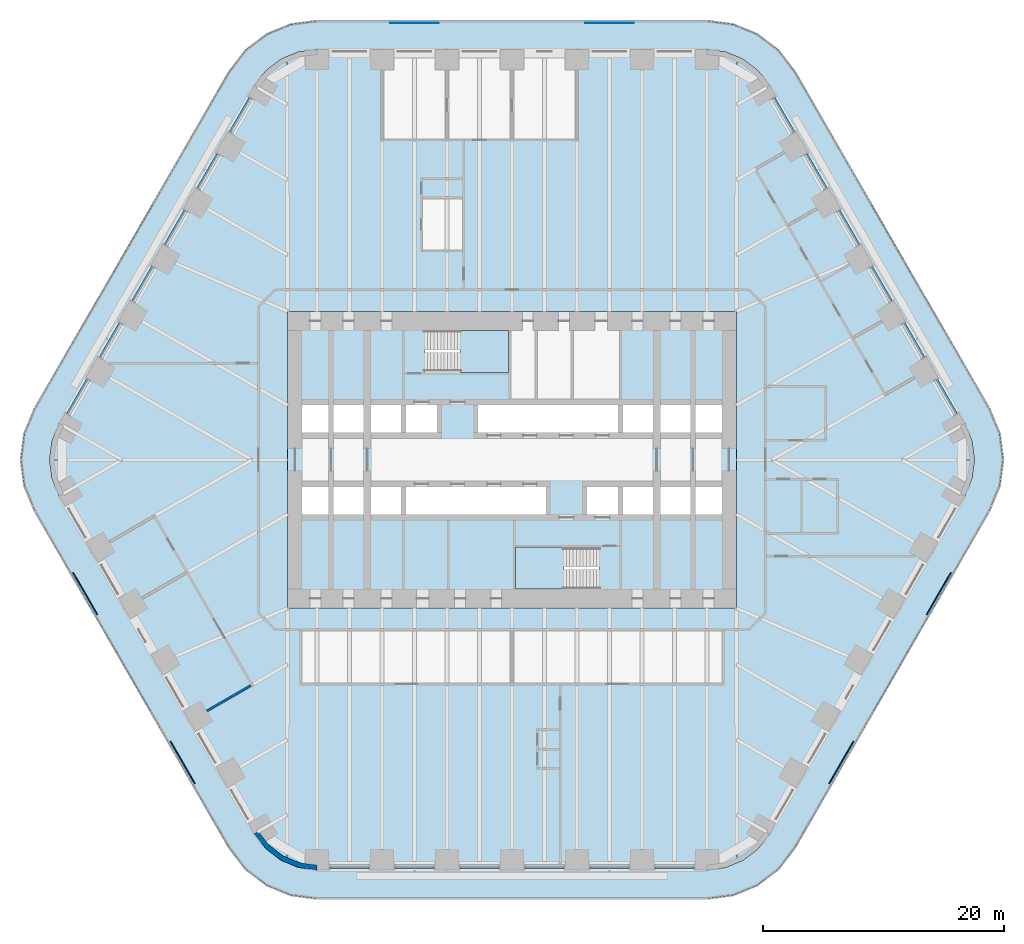
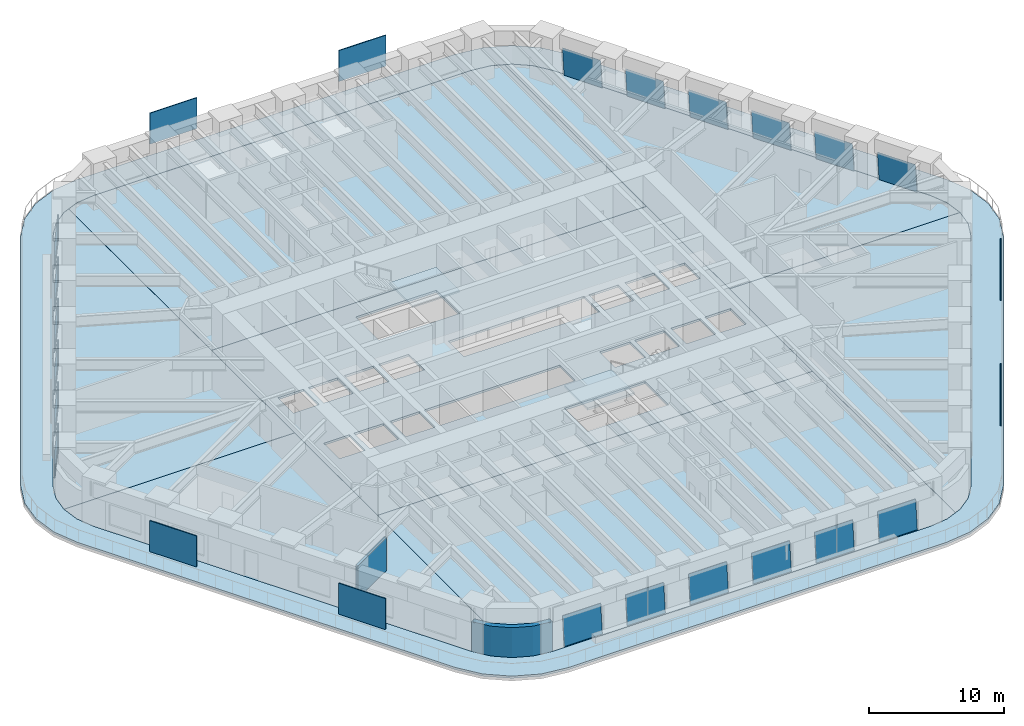
# One storey, part 15 of 24: 24 plates, 10 slabs, 2 walls, 20 elements without a shape of their own.
"""IFC4 building model written with IfcOpenShell, lengths in metres."""

from ifc_helpers import new_model, si_unit, direction, frame, frame_2d, origin, origin_2d, place, context, subcontext, project, spatial, polyline, rectangle, outline, extrude, material, layer, layer_set, type_object, element, aggregate, save


model = new_model("IFC4")

# Units and contexts
model_context = context("Model", 3, precision=1e-05, world=origin(), true_north=direction((0.0, 1.0)))
body_context = subcontext(model_context, "Body", "Model", "MODEL_VIEW")
ifc_project = project(units=[si_unit("LENGTHUNIT", "METRE"), si_unit("AREAUNIT", "SQUARE_METRE"), si_unit("VOLUMEUNIT", "CUBIC_METRE"), si_unit("PLANEANGLEUNIT", "RADIAN"), si_unit("MASSUNIT", "GRAM", prefix="KILO")], contexts=[model_context])

# Site, building, storey
site_placement = place(None, origin())
site = spatial("IfcSite", under=ifc_project, at=site_placement, CompositionType="ELEMENT")
building_placement = place(site_placement, origin())
building = spatial("IfcBuilding", under=site, at=building_placement, Name="Tarfa Lantern Tower", CompositionType="ELEMENT")
storey_placement = place(building_placement, frame((0.0, 0.0, 69.699951171875)))
storey = spatial("IfcBuildingStorey", under=building, at=storey_placement, Name="L15", CompositionType="ELEMENT", Elevation=69.699951171875)

# Slab
ifc_material_1 = material(Name="Concrete C40/50", Category="concrete")
ifc_layer_1 = layer(ifc_material_1, 0.199951171875)
ifc_layer_set_1 = layer_set([ifc_layer_1], Name="BS2 BALCONY SLAB 200")
slab_type_1 = type_object("IfcSlabType", Name="BS2 BALCONY SLAB 200", PredefinedType="FLOOR", material=ifc_layer_set_1)
slab_1_placement = place(storey_placement, frame((0.0, 0.0, -0.199951171875)))
element("IfcSlab", 1, at=slab_1_placement, inside=storey, type_object=slab_type_1, Name="Balcony L15", PredefinedType="FLOOR", context=body_context, shape_type="SweptSolid", body=[
    extrude(outline(polyline([(39.606201171875, 4.199951171875), (23.4404296875, 32.199951171875), (22.10546875, 33.939697265625), (20.36572265625, 35.274658203125), (18.33984375, 36.11376953125), (16.165771484375, 36.39990234375), (-16.165771484375, 36.39990234375), (-18.33984375, 36.11376953125), (-20.36572265625, 35.274658203125), (-22.10546875, 33.939697265625), (-23.4404296875, 32.199951171875), (-39.606201171875, 4.199951171875), (-40.4453125, 2.174072265625), (-40.731689453125, 0.0), (-40.4453125, -2.174072265625), (-39.606201171875, -4.199951171875), (-23.4404296875, -32.199951171875), (-22.10546875, -33.939697265625), (-20.36572265625, -35.274658203125), (-18.33984375, -36.11376953125), (-16.165771484375, -36.39990234375), (16.165771484375, -36.39990234375), (18.33984375, -36.11376953125), (20.36572265625, -35.274658203125), (22.10546875, -33.939697265625), (23.4404296875, -32.199951171875), (39.606201171875, -4.199951171875), (40.4453125, -2.174072265625), (40.731689453125, 0.0), (40.4453125, 2.174072265625), (39.606201171875, 4.199951171875)]), holes=[polyline([(37.52783203125, 3.0), (21.362060546875, 31.0), (20.408447265625, 32.24267578125), (19.165771484375, 33.196044921875), (17.71875, 33.795654296875), (16.165771484375, 34.0), (-16.165771484375, 34.0), (-17.71875, 33.795654296875), (-19.165771484375, 33.196044921875), (-20.408447265625, 32.24267578125), (-21.362060546875, 31.0), (-37.52783203125, 3.0), (-38.127197265625, 1.552978515625), (-38.33154296875, 0.0), (-38.127197265625, -1.552978515625), (-37.52783203125, -3.0), (-21.362060546875, -31.0), (-20.408447265625, -32.24267578125), (-19.165771484375, -33.196044921875), (-17.71875, -33.795654296875), (-16.165771484375, -34.0), (16.165771484375, -34.0), (17.71875, -33.795654296875), (19.165771484375, -33.196044921875), (20.408447265625, -32.24267578125), (21.362060546875, -31.0), (37.52783203125, -3.0), (38.127197265625, -1.552978515625), (38.33154296875, 0.0), (38.127197265625, 1.552978515625), (37.52783203125, 3.0)])]), origin(), (0.0, 0.0, 1.0), 0.199951171875),
])

# Curtain wall, plate
ifc_material_2 = material(Name="Aluminium framed curtain wall", Category="aluminium")
curtain_wall_type = type_object("IfcCurtainWallType", Name="CW1 CANTED GLAZING LOW ZONE 2700", PredefinedType="USERDEFINED", material=ifc_material_2)
curtain_wall_1_placement = place(storey_placement, origin())
curtain_wall_1 = element("IfcCurtainWall", 2, at=curtain_wall_1_placement, inside=storey, type_object=curtain_wall_type, Name="CW1 NE L15", ObjectType="CURTAIN WALL", PredefinedType="USERDEFINED")
ifc_material_3 = material(Name="Laminated double glazing", Category="glass")
ifc_layer_2 = layer(ifc_material_3, 0.028076171875)
ifc_layer_set_2 = layer_set([ifc_layer_2], Name="CWP1 DOUBLE GLAZED PANEL")
plate_type_1 = type_object("IfcPlateType", Name="CWP1 DOUBLE GLAZED PANEL", PredefinedType="CURTAIN_PANEL", material=ifc_layer_set_2)
plate_1_placement = place(storey_placement, frame((36.90869140625, 3.872314453125, 0.0), z_axis=(0.862338266797, 0.497864384763, 0.09221587717), x_axis=(-0.499995082658, 0.86602824279, 2.978908e-06)))
plate_1 = element("IfcPlate", 3, at=plate_1_placement, type_object=plate_type_1, Name="CW1 panel 1.1", PredefinedType="CURTAIN_PANEL", context=body_context, shape_type="SweptSolid", body=[
    extrude(outline(polyline([(0.0, 0.0), (3.258639560562134, 0.0), (3.2585208536427297, 2.646275738901332), (3.3621925729925773e-06, 2.646295235988971), (0.0, 0.0)])), origin(), (0.0, 0.0, -1.0), 0.028076171875),
])
aggregate(curtain_wall_1, [plate_1])

curtain_wall_2_placement = place(storey_placement, origin())
curtain_wall_2 = element("IfcCurtainWall", 4, at=curtain_wall_2_placement, inside=storey, type_object=curtain_wall_type, Name="CW1 NE L15", ObjectType="CURTAIN WALL", PredefinedType="USERDEFINED")
plate_2_placement = place(storey_placement, frame((34.21435546875, 8.5390625, 0.0), z_axis=(0.862325290636, 0.497894194109, 0.092176269198), x_axis=(-0.500022939057, 0.866012159509, 0.0)))
plate_2 = element("IfcPlate", 5, at=plate_2_placement, type_object=plate_type_1, Name="CW1 panel 1.1", PredefinedType="CURTAIN_PANEL", context=body_context, shape_type="SweptSolid", body=[
    extrude(outline(polyline([(0.0, 0.0), (3.2586395622623687, 0.0), (3.2585208519425555, 2.6462757409948594), (-0.0001187103198132533, 2.6462757409948594), (0.0, 0.0)])), origin(), (0.0, 0.0, -1.0), 0.028076171875),
])
aggregate(curtain_wall_2, [plate_2])

curtain_wall_3_placement = place(storey_placement, origin())
curtain_wall_3 = element("IfcCurtainWall", 6, at=curtain_wall_3_placement, inside=storey, type_object=curtain_wall_type, Name="CW1 NE L15", ObjectType="CURTAIN WALL", PredefinedType="USERDEFINED")
plate_3_placement = place(storey_placement, frame((31.52001953125, 13.20556640625, 0.0), z_axis=(0.862341934097, 0.49786650205, 0.092170140692), x_axis=(-0.499994605049, 0.866028518533, -2.977555e-06)))
plate_3 = element("IfcPlate", 7, at=plate_3_placement, type_object=plate_type_1, Name="CW1 panel 1.1", PredefinedType="CURTAIN_PANEL", context=body_context, shape_type="SweptSolid", body=[
    extrude(outline(polyline([(0.0, 0.0), (3.258517491508472, 2.7755575615628914e-17), (3.2587164564684317, 2.646283977845527), (7.689596458644864e-05, 2.6462644896978658), (0.0, 0.0)])), origin(), (0.0, 0.0, -1.0), 0.028076171875),
])
aggregate(curtain_wall_3, [plate_3])

curtain_wall_4_placement = place(storey_placement, origin())
curtain_wall_4 = element("IfcCurtainWall", 8, at=curtain_wall_4_placement, inside=storey, type_object=curtain_wall_type, Name="CW1 NE L15", ObjectType="CURTAIN WALL", PredefinedType="USERDEFINED")
plate_4_placement = place(storey_placement, frame((28.82568359375, 17.872314453125, 0.0), z_axis=(0.862338266797, 0.497864384763, 0.09221587717), x_axis=(-0.499994604812, 0.86602851867, -2.97902e-06)))
plate_4 = element("IfcPlate", 9, at=plate_4_placement, type_object=plate_type_1, Name="CW1 panel 1.1", PredefinedType="CURTAIN_PANEL", context=body_context, shape_type="SweptSolid", body=[
    extrude(outline(polyline([(0.0, 0.0), (3.2585174915084862, -2.7755575615628914e-17), (3.2585050197979823, 2.646295235961718), (-0.000134540705819584, 2.646275738143688), (0.0, 0.0)])), origin(), (0.0, 0.0, -1.0), 0.028076171875),
])
aggregate(curtain_wall_4, [plate_4])

curtain_wall_5_placement = place(storey_placement, origin())
curtain_wall_5 = element("IfcCurtainWall", 10, at=curtain_wall_5_placement, inside=storey, type_object=curtain_wall_type, Name="CW1 NE L15", ObjectType="CURTAIN WALL", PredefinedType="USERDEFINED")
plate_5_placement = place(storey_placement, frame((26.13134765625, 22.5390625, 0.0), z_axis=(0.862338266797, 0.497864384763, 0.09221587717), x_axis=(-0.499994604812, 0.86602851867, -2.97902e-06)))
plate_5 = element("IfcPlate", 11, at=plate_5_placement, type_object=plate_type_1, Name="CW1 panel 1.1", PredefinedType="CURTAIN_PANEL", context=body_context, shape_type="SweptSolid", body=[
    extrude(outline(polyline([(0.0, 0.0), (3.2585174915084862, -2.7755575615628914e-17), (3.2585050197979823, 2.646295235961718), (-0.000134540705819584, 2.646275738143688), (0.0, 0.0)])), origin(), (0.0, 0.0, -1.0), 0.028076171875),
])
aggregate(curtain_wall_5, [plate_5])

curtain_wall_6_placement = place(storey_placement, origin())
curtain_wall_6 = element("IfcCurtainWall", 12, at=curtain_wall_6_placement, inside=storey, type_object=curtain_wall_type, Name="CW1 NE L15", ObjectType="CURTAIN WALL", PredefinedType="USERDEFINED")
plate_6_placement = place(storey_placement, frame((23.437255859375, 27.20556640625, 0.0), z_axis=(0.862341934097, 0.49786650205, 0.092170140692), x_axis=(-0.499995082421, 0.866028242926, 2.977443e-06)))
plate_6 = element("IfcPlate", 13, at=plate_6_placement, type_object=plate_type_1, Name="CW1 panel 1.1", PredefinedType="CURTAIN_PANEL", context=body_context, shape_type="SweptSolid", body=[
    extrude(outline(polyline([(0.0, 0.0), (3.2586395605621195, -2.7755575615628914e-17), (3.2587322823927347, 2.64626448919067), (0.0002147909425344405, 2.6462839766083026), (0.0, 0.0)])), origin(), (0.0, 0.0, -1.0), 0.028076171875),
])
aggregate(curtain_wall_6, [plate_6])

curtain_wall_7_placement = place(storey_placement, origin())
curtain_wall_7 = element("IfcCurtainWall", 14, at=curtain_wall_7_placement, inside=storey, type_object=curtain_wall_type, Name="CW1 NW L15", ObjectType="CURTAIN WALL", PredefinedType="USERDEFINED")
plate_7_placement = place(storey_placement, frame((-21.807861328125, 30.027587890625, 0.0), z_axis=(-0.862341934097, 0.49786650205, 0.092170140692), x_axis=(-0.499995082421, -0.866028242926, -2.977443e-06)))
plate_7 = element("IfcPlate", 15, at=plate_7_placement, type_object=plate_type_1, Name="CW1 panel 1.1", PredefinedType="CURTAIN_PANEL", context=body_context, shape_type="SweptSolid", body=[
    extrude(outline(polyline([(0.0, 0.0), (3.2586395605621195, 2.7755575615628914e-17), (3.2584247696195847, 2.6462839766083026), (-9.272183061532521e-05, 2.64626448919067), (0.0, 0.0)])), origin(), (0.0, 0.0, -1.0), 0.028076171875),
])
aggregate(curtain_wall_7, [plate_7])

curtain_wall_8_placement = place(storey_placement, origin())
curtain_wall_8 = element("IfcCurtainWall", 16, at=curtain_wall_8_placement, inside=storey, type_object=curtain_wall_type, Name="CW1 NW L15", ObjectType="CURTAIN WALL", PredefinedType="USERDEFINED")
plate_8_placement = place(storey_placement, frame((-24.502197265625, 25.361083984375, 0.0), z_axis=(-0.862338266797, 0.497864384763, 0.09221587717), x_axis=(-0.499994604812, -0.86602851867, 2.97902e-06)))
plate_8 = element("IfcPlate", 17, at=plate_8_placement, type_object=plate_type_1, Name="CW1 panel 1.1", PredefinedType="CURTAIN_PANEL", context=body_context, shape_type="SweptSolid", body=[
    extrude(outline(polyline([(0.0, 0.0), (3.2585174915084862, 2.7755575615628914e-17), (3.2586520322143055, 2.646275738143688), (1.2471710504126e-05, 2.646295235961718), (0.0, 0.0)])), origin(), (0.0, 0.0, -1.0), 0.028076171875),
])
aggregate(curtain_wall_8, [plate_8])

curtain_wall_9_placement = place(storey_placement, origin())
curtain_wall_9 = element("IfcCurtainWall", 18, at=curtain_wall_9_placement, inside=storey, type_object=curtain_wall_type, Name="CW1 NW L15", ObjectType="CURTAIN WALL", PredefinedType="USERDEFINED")
plate_9_placement = place(storey_placement, frame((-27.196533203125, 20.6943359375, 0.0), z_axis=(-0.862338266797, 0.497864384763, 0.09221587717), x_axis=(-0.499994604812, -0.86602851867, 2.97902e-06)))
plate_9 = element("IfcPlate", 19, at=plate_9_placement, type_object=plate_type_1, Name="CW1 panel 1.1", PredefinedType="CURTAIN_PANEL", context=body_context, shape_type="SweptSolid", body=[
    extrude(outline(polyline([(0.0, 0.0), (3.2585174915084862, 2.7755575615628914e-17), (3.2586520322143055, 2.646275738143688), (1.2471710504126e-05, 2.646295235961718), (0.0, 0.0)])), origin(), (0.0, 0.0, -1.0), 0.028076171875),
])
aggregate(curtain_wall_9, [plate_9])

curtain_wall_10_placement = place(storey_placement, origin())
curtain_wall_10 = element("IfcCurtainWall", 20, at=curtain_wall_10_placement, inside=storey, type_object=curtain_wall_type, Name="CW1 NW L15", ObjectType="CURTAIN WALL", PredefinedType="USERDEFINED")
plate_10_placement = place(storey_placement, frame((-29.890869140625, 16.027587890625, 0.0), z_axis=(-0.862341934097, 0.49786650205, 0.092170140692), x_axis=(-0.499994605049, -0.866028518533, 2.977555e-06)))
plate_10 = element("IfcPlate", 21, at=plate_10_placement, type_object=plate_type_1, Name="CW1 panel 1.1", PredefinedType="CURTAIN_PANEL", context=body_context, shape_type="SweptSolid", body=[
    extrude(outline(polyline([(0.0, 0.0), (3.258517491508472, -2.7755575615628914e-17), (3.258440595543886, 2.6462644896978658), (-0.00019896495995976314, 2.646283977845527), (0.0, 0.0)])), origin(), (0.0, 0.0, -1.0), 0.028076171875),
])
aggregate(curtain_wall_10, [plate_10])

curtain_wall_11_placement = place(storey_placement, origin())
curtain_wall_11 = element("IfcCurtainWall", 22, at=curtain_wall_11_placement, inside=storey, type_object=curtain_wall_type, Name="CW1 NW L15", ObjectType="CURTAIN WALL", PredefinedType="USERDEFINED")
plate_11_placement = place(storey_placement, frame((-32.5849609375, 11.361083984375, 0.0), z_axis=(-0.862325290636, 0.497894194109, 0.092176269198), x_axis=(-0.500022939057, -0.866012159509, 0.0)))
plate_11 = element("IfcPlate", 23, at=plate_11_placement, type_object=plate_type_1, Name="CW1 panel 1.1", PredefinedType="CURTAIN_PANEL", context=body_context, shape_type="SweptSolid", body=[
    extrude(outline(polyline([(0.0, 0.0), (3.2586395622623687, 0.0), (3.258758272582182, 2.6462757409948594), (0.0001187103198132533, 2.6462757409948594), (0.0, 0.0)])), origin(), (0.0, 0.0, -1.0), 0.028076171875),
])
aggregate(curtain_wall_11, [plate_11])

curtain_wall_12_placement = place(storey_placement, origin())
curtain_wall_12 = element("IfcCurtainWall", 24, at=curtain_wall_12_placement, inside=storey, type_object=curtain_wall_type, Name="CW1 NW L15", ObjectType="CURTAIN WALL", PredefinedType="USERDEFINED")
plate_12_placement = place(storey_placement, frame((-35.279296875, 6.6943359375, 0.0), z_axis=(-0.862338266797, 0.497864384763, 0.09221587717), x_axis=(-0.499995082658, -0.86602824279, -2.978908e-06)))
plate_12 = element("IfcPlate", 25, at=plate_12_placement, type_object=plate_type_1, Name="CW1 panel 1.1", PredefinedType="CURTAIN_PANEL", context=body_context, shape_type="SweptSolid", body=[
    extrude(outline(polyline([(0.0, 0.0), (3.258639560562134, 0.0), (3.258636198369561, 2.646295235988971), (0.00011870691940396534, 2.646275738901332), (0.0, 0.0)])), origin(), (0.0, 0.0, -1.0), 0.028076171875),
])
aggregate(curtain_wall_12, [plate_12])

curtain_wall_13_placement = place(storey_placement, origin())
curtain_wall_13 = element("IfcCurtainWall", 26, at=curtain_wall_13_placement, inside=storey, type_object=curtain_wall_type, Name="CW1 S L15", ObjectType="CURTAIN WALL", PredefinedType="USERDEFINED")
plate_13_placement = place(storey_placement, frame((-15.100830078125, -33.89990234375, 0.0), z_axis=(0.0, -0.995743653657, 0.092166025202), x_axis=(1.0, 0.0, 0.0)))
plate_13 = element("IfcPlate", 27, at=plate_13_placement, type_object=plate_type_1, Name="CW1 panel 1.1", PredefinedType="CURTAIN_PANEL", context=body_context, shape_type="SweptSolid", body=[
    extrude(outline(polyline([(0.0, 0.0), (3.258544921875, 0.0), (3.258544921875, 2.6462732209712594), (0.0, 2.6462732209712594), (0.0, 0.0)])), origin(), (0.0, 0.0, -1.0), 0.028076171875),
])
aggregate(curtain_wall_13, [plate_13])

curtain_wall_14_placement = place(storey_placement, origin())
curtain_wall_14 = element("IfcCurtainWall", 28, at=curtain_wall_14_placement, inside=storey, type_object=curtain_wall_type, Name="CW1 S L15", ObjectType="CURTAIN WALL", PredefinedType="USERDEFINED")
plate_14_placement = place(storey_placement, frame((-9.712158203125, -33.89990234375, 0.0), z_axis=(0.0, -0.995743653657, 0.092166025202), x_axis=(1.0, 0.0, 0.0)))
plate_14 = element("IfcPlate", 29, at=plate_14_placement, type_object=plate_type_1, Name="CW1 panel 1.1", PredefinedType="CURTAIN_PANEL", context=body_context, shape_type="SweptSolid", body=[
    extrude(outline(polyline([(0.0, 0.0), (3.258544921875, 0.0), (3.258544921875, 2.6462732209712594), (0.0, 2.6462732209712594), (0.0, 0.0)])), origin(), (0.0, 0.0, -1.0), 0.028076171875),
])
aggregate(curtain_wall_14, [plate_14])

curtain_wall_15_placement = place(storey_placement, origin())
curtain_wall_15 = element("IfcCurtainWall", 30, at=curtain_wall_15_placement, inside=storey, type_object=curtain_wall_type, Name="CW1 S L15", ObjectType="CURTAIN WALL", PredefinedType="USERDEFINED")
plate_15_placement = place(storey_placement, frame((-4.323486328125, -33.89990234375, 0.0), z_axis=(0.0, -0.995743653657, 0.092166025202), x_axis=(1.0, 0.0, 0.0)))
plate_15 = element("IfcPlate", 31, at=plate_15_placement, type_object=plate_type_1, Name="CW1 panel 1.1", PredefinedType="CURTAIN_PANEL", context=body_context, shape_type="SweptSolid", body=[
    extrude(outline(polyline([(0.0, 0.0), (3.258544921875, 0.0), (3.258544921875, 2.6462732209712594), (0.0, 2.6462732209712594), (0.0, 0.0)])), origin(), (0.0, 0.0, -1.0), 0.028076171875),
])
aggregate(curtain_wall_15, [plate_15])

curtain_wall_16_placement = place(storey_placement, origin())
curtain_wall_16 = element("IfcCurtainWall", 32, at=curtain_wall_16_placement, inside=storey, type_object=curtain_wall_type, Name="CW1 S L15", ObjectType="CURTAIN WALL", PredefinedType="USERDEFINED")
plate_16_placement = place(storey_placement, frame((1.06494140625, -33.89990234375, 0.0), z_axis=(0.0, -0.995743653657, 0.092166025202), x_axis=(1.0, 0.0, 0.0)))
plate_16 = element("IfcPlate", 33, at=plate_16_placement, type_object=plate_type_1, Name="CW1 panel 1.1", PredefinedType="CURTAIN_PANEL", context=body_context, shape_type="SweptSolid", body=[
    extrude(outline(polyline([(0.0, 0.0), (3.258544921875, 0.0), (3.258544921875, 2.6462732209712594), (0.0, 2.6462732209712594), (0.0, 0.0)])), origin(), (0.0, 0.0, -1.0), 0.028076171875),
])
aggregate(curtain_wall_16, [plate_16])

curtain_wall_17_placement = place(storey_placement, origin())
curtain_wall_17 = element("IfcCurtainWall", 34, at=curtain_wall_17_placement, inside=storey, type_object=curtain_wall_type, Name="CW1 S L15", ObjectType="CURTAIN WALL", PredefinedType="USERDEFINED")
plate_17_placement = place(storey_placement, frame((6.45361328125, -33.89990234375, 0.0), z_axis=(0.0, -0.995743653657, 0.092166025202), x_axis=(1.0, 0.0, 0.0)))
plate_17 = element("IfcPlate", 35, at=plate_17_placement, type_object=plate_type_1, Name="CW1 panel 1.1", PredefinedType="CURTAIN_PANEL", context=body_context, shape_type="SweptSolid", body=[
    extrude(outline(polyline([(0.0, 0.0), (3.258544921875, 0.0), (3.258544921875, 2.6462732209712594), (0.0, 2.6462732209712594), (0.0, 0.0)])), origin(), (0.0, 0.0, -1.0), 0.028076171875),
])
aggregate(curtain_wall_17, [plate_17])

curtain_wall_18_placement = place(storey_placement, origin())
curtain_wall_18 = element("IfcCurtainWall", 36, at=curtain_wall_18_placement, inside=storey, type_object=curtain_wall_type, Name="CW1 S L15", ObjectType="CURTAIN WALL", PredefinedType="USERDEFINED")
plate_18_placement = place(storey_placement, frame((11.84228515625, -33.89990234375, 0.0), z_axis=(0.0, -0.995743653657, 0.092166025202), x_axis=(1.0, 0.0, 0.0)))
plate_18 = element("IfcPlate", 37, at=plate_18_placement, type_object=plate_type_1, Name="CW1 panel 1.1", PredefinedType="CURTAIN_PANEL", context=body_context, shape_type="SweptSolid", body=[
    extrude(outline(polyline([(0.0, 0.0), (3.258544921875, 0.0), (3.258544921875, 2.6462732209712594), (0.0, 2.6462732209712594), (0.0, 0.0)])), origin(), (0.0, 0.0, -1.0), 0.028076171875),
])
aggregate(curtain_wall_18, [plate_18])

# Slabs
ifc_layer_3 = layer(ifc_material_1, 0.199951171875)
ifc_layer_set_3 = layer_set([ifc_layer_3], Name="FS1 FLOOR SLAB 200")
slab_type_2 = type_object("IfcSlabType", Name="FS1 FLOOR SLAB 200", PredefinedType="FLOOR", material=ifc_layer_set_3)
slab_2_placement = place(storey_placement, frame((0.0, 0.0, -0.199951171875)))
element("IfcSlab", 38, at=slab_2_placement, inside=storey, type_object=slab_type_2, Name="Floor slab L15", PredefinedType="FLOOR", context=body_context, shape_type="SweptSolid", body=[
    extrude(outline(polyline([(-18.60009765625, -12.300048828125), (18.60009765625, -12.300048828125), (18.60009765625, 12.300048828125), (-18.60009765625, 12.300048828125), (-18.60009765625, -12.300048828125)]), holes=[polyline([(-17.39990234375, 2.25), (-15.199951171875, 2.25), (-15.199951171875, 4.550048828125), (-17.39990234375, 4.550048828125), (-17.39990234375, 2.25)]), polyline([(-14.800048828125, 2.25), (-12.300048828125, 2.25), (-12.300048828125, 4.550048828125), (-14.800048828125, 4.550048828125), (-14.800048828125, 2.25)]), polyline([(-11.699951171875, 2.25), (-9.199951171875, 2.25), (-9.199951171875, 4.550048828125), (-11.699951171875, 4.550048828125), (-11.699951171875, 2.25)]), polyline([(-8.800048828125, 2.25), (-6.199951171875, 2.25), (-6.199951171875, 4.550048828125), (-8.800048828125, 4.550048828125), (-8.800048828125, 2.25)]), polyline([(-2.800048828125, 2.25), (8.800048828125, 2.25), (8.800048828125, 4.550048828125), (-2.800048828125, 4.550048828125), (-2.800048828125, 2.25)]), polyline([(9.199951171875, 2.25), (11.699951171875, 2.25), (11.699951171875, 4.550048828125), (9.199951171875, 4.550048828125), (9.199951171875, 2.25)]), polyline([(12.300048828125, 2.25), (14.800048828125, 2.25), (14.800048828125, 4.550048828125), (12.300048828125, 4.550048828125), (12.300048828125, 2.25)]), polyline([(15.199951171875, 2.25), (17.39990234375, 2.25), (17.39990234375, 4.550048828125), (15.199951171875, 4.550048828125), (15.199951171875, 2.25)]), polyline([(17.39990234375, -2.25), (15.199951171875, -2.25), (15.199951171875, -4.550048828125), (17.39990234375, -4.550048828125), (17.39990234375, -2.25)]), polyline([(14.800048828125, -2.25), (12.300048828125, -2.25), (12.300048828125, -4.550048828125), (14.800048828125, -4.550048828125), (14.800048828125, -2.25)]), polyline([(11.699951171875, -2.25), (9.199951171875, -2.25), (9.199951171875, -4.550048828125), (11.699951171875, -4.550048828125), (11.699951171875, -2.25)]), polyline([(8.800048828125, -2.25), (6.199951171875, -2.25), (6.199951171875, -4.550048828125), (8.800048828125, -4.550048828125), (8.800048828125, -2.25)]), polyline([(2.800048828125, -2.25), (-8.800048828125, -2.25), (-8.800048828125, -4.550048828125), (2.800048828125, -4.550048828125), (2.800048828125, -2.25)]), polyline([(-9.199951171875, -2.25), (-11.699951171875, -2.25), (-11.699951171875, -4.550048828125), (-9.199951171875, -4.550048828125), (-9.199951171875, -2.25)]), polyline([(-12.300048828125, -2.25), (-14.800048828125, -2.25), (-14.800048828125, -4.550048828125), (-12.300048828125, -4.550048828125), (-12.300048828125, -2.25)]), polyline([(-15.199951171875, -2.25), (-17.39990234375, -2.25), (-17.39990234375, -4.550048828125), (-15.199951171875, -4.550048828125), (-15.199951171875, -2.25)]), polyline([(-7.199951171875, 7.25), (-0.300048828125, 7.25), (-0.300048828125, 10.699951171875), (-7.199951171875, 10.699951171875), (-7.199951171875, 7.25)]), polyline([(7.199951171875, -7.25), (0.300048828125, -7.25), (0.300048828125, -10.699951171875), (7.199951171875, -10.699951171875), (7.199951171875, -7.25)])]), origin(), (0.0, 0.0, 1.0), 0.199951171875),
])
slab_3_placement = place(storey_placement, frame((0.0, 0.0, -0.199951171875)))
element("IfcSlab", 39, at=slab_3_placement, inside=storey, type_object=slab_type_2, Name="Floor slab L15 NE bay", PredefinedType="FLOOR", context=body_context, shape_type="SweptSolid", body=[
    extrude(outline(polyline([(37.52587890625, 2.9990234375), (21.3603515625, 30.998779296875), (20.406982421875, 32.2412109375), (19.164794921875, 33.1943359375), (18.64697265625, 33.408935546875), (18.60205078125, 12.300048828125), (18.60205078125, 0.001953125), (38.329345703125, 0.001953125), (38.125244140625, 1.552490234375), (37.52587890625, 2.9990234375)])), origin(), (0.0, 0.0, 1.0), 0.199951171875),
])
slab_4_placement = place(storey_placement, frame((0.0, 0.0, -0.199951171875)))
element("IfcSlab", 40, at=slab_4_placement, inside=storey, type_object=slab_type_2, Name="Floor slab L15 N bay", PredefinedType="FLOOR", context=body_context, shape_type="SweptSolid", body=[
    extrude(outline(polyline([(-18.597900390625, 12.302001953125), (18.597900390625, 12.302001953125), (18.64306640625, 33.41064453125), (17.71826171875, 33.793701171875), (16.165771484375, 33.998046875), (-16.165771484375, 33.998046875), (-17.71826171875, 33.793701171875), (-18.64306640625, 33.41064453125), (-18.597900390625, 12.302001953125)])), origin(), (0.0, 0.0, 1.0), 0.199951171875),
])
slab_5_placement = place(storey_placement, frame((0.0, 0.0, -0.199951171875)))
element("IfcSlab", 41, at=slab_5_placement, inside=storey, type_object=slab_type_2, Name="Floor slab L15 NW bay", PredefinedType="FLOOR", context=body_context, shape_type="SweptSolid", body=[
    extrude(outline(polyline([(-18.60205078125, 0.001953125), (-18.60205078125, 12.300048828125), (-18.64697265625, 33.408935546875), (-19.164794921875, 33.1943359375), (-20.406982421875, 32.2412109375), (-21.3603515625, 30.998779296875), (-37.52587890625, 2.9990234375), (-38.125244140625, 1.552490234375), (-38.329345703125, 0.001953125), (-18.60205078125, 0.001953125)])), origin(), (0.0, 0.0, 1.0), 0.199951171875),
])
slab_6_placement = place(storey_placement, frame((0.0, 0.0, -0.199951171875)))
element("IfcSlab", 42, at=slab_6_placement, inside=storey, type_object=slab_type_2, Name="Floor slab L15 SW bay", PredefinedType="FLOOR", context=body_context, shape_type="SweptSolid", body=[
    extrude(outline(polyline([(-18.60205078125, -12.300048828125), (-18.60205078125, -0.001953125), (-38.329345703125, -0.001953125), (-38.125244140625, -1.552490234375), (-37.52587890625, -2.9990234375), (-21.3603515625, -30.998779296875), (-20.406982421875, -32.2412109375), (-19.164794921875, -33.1943359375), (-18.64697265625, -33.408935546875), (-18.60205078125, -12.300048828125)])), origin(), (0.0, 0.0, 1.0), 0.199951171875),
])
slab_7_placement = place(storey_placement, frame((0.0, 0.0, -0.199951171875)))
element("IfcSlab", 43, at=slab_7_placement, inside=storey, type_object=slab_type_2, Name="Floor slab L15 S bay", PredefinedType="FLOOR", context=body_context, shape_type="SweptSolid", body=[
    extrude(outline(polyline([(18.597900390625, -12.302001953125), (-18.597900390625, -12.302001953125), (-18.64306640625, -33.41064453125), (-17.71826171875, -33.793701171875), (-16.165771484375, -33.998046875), (16.165771484375, -33.998046875), (17.71826171875, -33.793701171875), (18.64306640625, -33.41064453125), (18.597900390625, -12.302001953125)])), origin(), (0.0, 0.0, 1.0), 0.199951171875),
])
slab_8_placement = place(storey_placement, frame((0.0, 0.0, -0.199951171875)))
element("IfcSlab", 44, at=slab_8_placement, inside=storey, type_object=slab_type_2, Name="Floor slab L15 SE bay", PredefinedType="FLOOR", context=body_context, shape_type="SweptSolid", body=[
    extrude(outline(polyline([(18.60205078125, -0.001953125), (18.60205078125, -12.300048828125), (18.64697265625, -33.408935546875), (19.164794921875, -33.1943359375), (20.406982421875, -32.2412109375), (21.3603515625, -30.998779296875), (37.52587890625, -2.9990234375), (38.125244140625, -1.552490234375), (38.329345703125, -0.001953125), (18.60205078125, -0.001953125)])), origin(), (0.0, 0.0, 1.0), 0.199951171875),
])

# Plates
ifc_material_4 = material(Name="Perforated limestone screen", Category="masonry")
ifc_layer_4 = layer(ifc_material_4, 0.080078125)
ifc_layer_set_4 = layer_set([ifc_layer_4], Name="SC1 STONE SCREEN 80")
plate_type_2 = type_object("IfcPlateType", Name="SC1 STONE SCREEN 80", PredefinedType="USERDEFINED", material=ifc_layer_set_4)
for number, where, z_axis, x_axis, name in (
    (45, (8.0830078125, 36.199951171875, 1.2001953125), (0.0, 0.0, 1.0), (-1.0, 0.0, 0.0), "Stone screen N 1"),
    (46, (-8.0830078125, 36.199951171875, 1.2001953125), (0.0, 0.0, 1.0), (-1.0, 0.0, 0.0), "Stone screen N 2"),
    (47, (-35.3916015625, -11.10009765625, 1.2001953125), (0.0, 0.0, 1.0), (0.5, -0.866025403784, 0.0), "Stone screen SW 1"),
    (48, (-27.30859375, -25.10009765625, 1.2001953125), (0.0, 0.0, 1.0), (0.5, -0.866025403784, 0.0), "Stone screen SW 2"),
    (49, (27.30859375, -25.10009765625, 1.2001953125), (0.0, 0.0, 1.0), (0.5, 0.866025403784, 0.0), "Stone screen SE 1"),
    (50, (35.3916015625, -11.10009765625, 1.2001953125), (0.0, 0.0, 1.0), (0.5, 0.866025403784, 0.0), "Stone screen SE 2"),
):
    element("IfcPlate", number, at=place(storey_placement, frame(where, z_axis=z_axis, x_axis=x_axis)), inside=storey, type_object=plate_type_2, Name=name, ObjectType="SCREEN", PredefinedType="USERDEFINED", context=body_context, shape_type="SweptSolid", body=[
        extrude(rectangle(XDim=4.0, YDim=0.080078125, at=origin_2d()), origin(), (0.0, 0.0, 1.0), 2.800048828125),
    ])

# Stair, slab
stair_type = type_object("IfcStairType", Name="ST-T10 HALF-TURN STAIR 4200 RISE", PredefinedType="HALF_TURN_STAIR", material=ifc_material_1)
stair_1_placement = place(storey_placement, origin())
stair_1 = element("IfcStair", 51, at=stair_1_placement, inside=storey, type_object=stair_type, Name="Stair ST1", PredefinedType="HALF_TURN_STAIR")
ifc_layer_5 = layer(ifc_material_1, 0.199951171875)
ifc_layer_set_5 = layer_set([ifc_layer_5], Name="SL1 STAIR LANDING 200")
slab_type_3 = type_object("IfcSlabType", Name="SL1 STAIR LANDING 200", PredefinedType="LANDING", material=ifc_layer_set_5)
slab_9_placement = place(storey_placement, frame((0.0, 0.0, 1.900146484375)))
slab_9 = element("IfcSlab", 52, at=slab_9_placement, type_object=slab_type_3, Name="ST1 landing 1", PredefinedType="LANDING", context=body_context, shape_type="SweptSolid", body=[
    extrude(outline(polyline([(-4.320068359375, 7.25), (-0.300048828125, 7.25), (-0.300048828125, 10.699951171875), (-4.320068359375, 10.699951171875), (-4.320068359375, 7.25)])), origin(), (0.0, 0.0, 1.0), 0.199951171875),
])
aggregate(stair_1, [slab_9])

stair_2_placement = place(storey_placement, origin())
stair_2 = element("IfcStair", 53, at=stair_2_placement, inside=storey, type_object=stair_type, Name="Stair ST2", PredefinedType="HALF_TURN_STAIR")
slab_10_placement = place(storey_placement, frame((0.0, 0.0, 1.900146484375)))
slab_10 = element("IfcSlab", 54, at=slab_10_placement, type_object=slab_type_3, Name="ST2 landing 1", PredefinedType="LANDING", context=body_context, shape_type="SweptSolid", body=[
    extrude(outline(polyline([(4.320068359375, -7.25), (0.300048828125, -7.25), (0.300048828125, -10.699951171875), (4.320068359375, -10.699951171875), (4.320068359375, -7.25)])), origin(), (0.0, 0.0, 1.0), 0.199951171875),
])
aggregate(stair_2, [slab_10])

# Walls
ifc_material_5 = material(Name="Limestone cladding on blockwork", Category="masonry")
ifc_layer_6 = layer(ifc_material_5, 0.39990234375)
ifc_layer_set_6 = layer_set([ifc_layer_6], Name="EW2 CURVED STONE CORNER 400")
wall_type_1 = type_object("IfcWallType", Name="EW2 CURVED STONE CORNER 400", PredefinedType="SOLIDWALL", material=ifc_layer_set_6)
wall_1_placement = place(storey_placement, origin())
element("IfcWall", 55, at=wall_1_placement, inside=storey, type_object=wall_type_1, Name="Stone corner SW-S", PredefinedType="SOLIDWALL", context=body_context, shape_type="SweptSolid", body=[
    extrude(outline(polyline([(-21.362060546875, -31.0), (-20.408447265625, -32.24267578125), (-19.165771484375, -33.196044921875), (-17.71875, -33.795654296875), (-16.165771484375, -34.0), (-16.165771484375, -33.60009765625), (-17.615234375, -33.4091796875), (-18.9658203125, -32.849853515625), (-20.12548828125, -31.959716796875), (-21.015625, -30.800048828125), (-21.362060546875, -31.0)])), origin(), (0.0, 0.0, 1.0), 2.699951171875),
])
ifc_material_6 = material(Name="Gypsum board on steel studs", Category="steel")
ifc_layer_7 = layer(ifc_material_6, 0.2099609375)
ifc_layer_set_7 = layer_set([ifc_layer_7], Name="IW2 ACOUSTIC PARTITION 200")
wall_type_2 = type_object("IfcWallType", Name="IW2 ACOUSTIC PARTITION 200", PredefinedType="PARTITIONING", material=ifc_layer_set_7)
wall_2_placement = place(storey_placement, frame((-21.64111328125, -18.716552734375, 0.0), z_axis=(0.0, 0.0, 1.0), x_axis=(-0.866009402589, -0.500027713859, 0.0)))
element("IfcWall", 56, at=wall_2_placement, inside=storey, type_object=wall_type_2, Name="Partition", PredefinedType="PARTITIONING", context=body_context, shape_type="SweptSolid", body=[
    extrude(rectangle(XDim=4.199951171875, YDim=0.199951171875, at=frame_2d((2.10009765625, 0.0))), origin(), (0.0, 0.0, 1.0), 2.991943359375),
])

save(model, "model.ifc")
